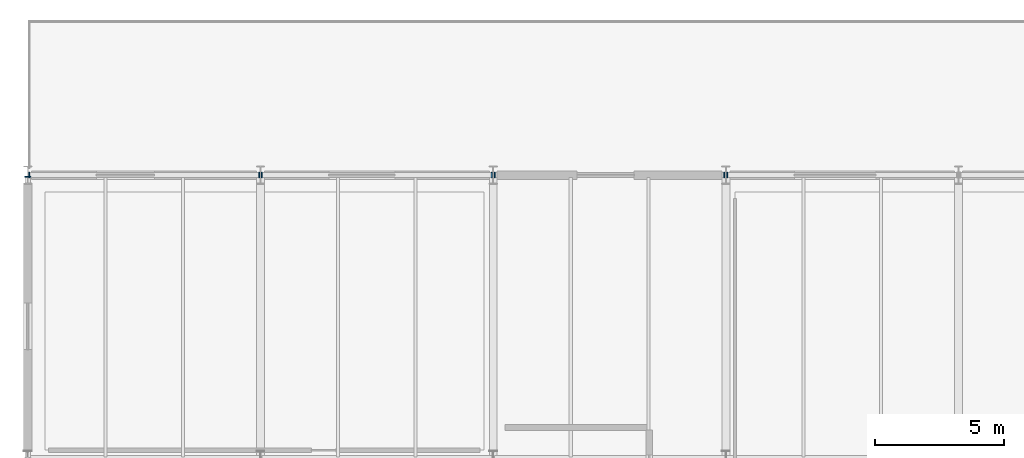
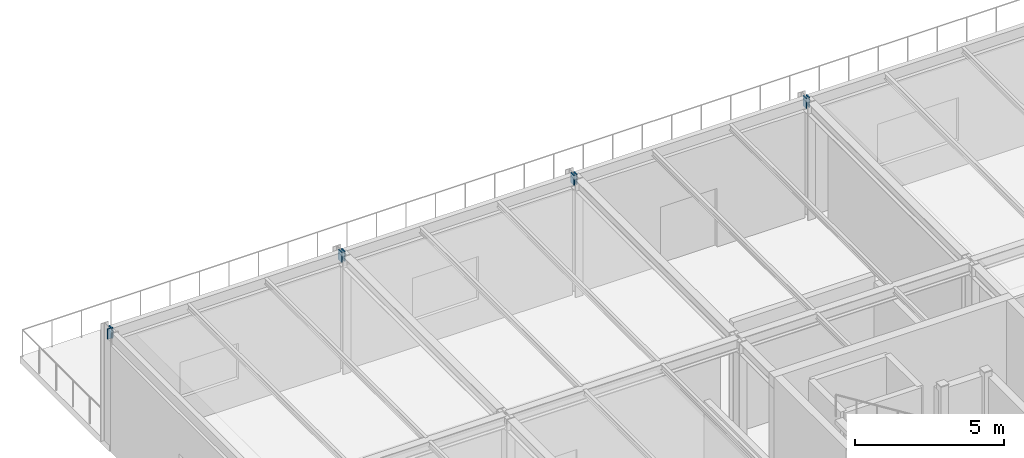
# One storey, part 114 of 143: 8 discrete accessories.
"""IFC4 building model written with IfcOpenShell, lengths in metres."""

from ifc_helpers import new_model, si_unit, direction, frame, origin, origin_2d, place, context, subcontext, project, spatial, rectangle, extrude, material, element, save


model = new_model("IFC4")

# Units and contexts
model_context = context("Model", 3, precision=1e-05, world=origin(), true_north=direction((0.0, 1.0)))
body_context = subcontext(model_context, "Body", "Model", "MODEL_VIEW")
ifc_project = project(units=[si_unit("LENGTHUNIT", "METRE"), si_unit("AREAUNIT", "SQUARE_METRE"), si_unit("VOLUMEUNIT", "CUBIC_METRE"), si_unit("PLANEANGLEUNIT", "RADIAN"), si_unit("MASSUNIT", "GRAM", prefix="KILO")], contexts=[model_context])

# Site, building, storey
site_placement = place(None, origin())
site = spatial("IfcSite", under=ifc_project, at=site_placement, CompositionType="ELEMENT")
building_placement = place(site_placement, origin())
building = spatial("IfcBuilding", under=site, at=building_placement, Name="Marlcrest Central Station", CompositionType="ELEMENT")
storey_placement = place(building_placement, frame((0.0, 0.0, 4.800048828125)))
storey = spatial("IfcBuildingStorey", under=building, at=storey_placement, Name="L01", CompositionType="ELEMENT", Elevation=4.800048828125)

# Discrete accessories
ifc_material = material(Name="Steel S355", Category="steel")
for number, where, z_axis, x_axis, name in (
    (1, (0.03515625, 132.0, 4.619873046875), (1.0, 0.0, 0.0), (0.0, 1.0, 0.0), "endcap-bm-SP-01-L01-00255-s"),
    (2, (8.925048828125, 132.0, 4.619873046875), (1.0, 0.0, 0.0), (0.0, 1.0, 0.0), "endcap-bm-SP-01-L01-00255-e"),
    (3, (9.03515625, 132.0, 4.619873046875), (1.0, 0.0, 0.0), (0.0, 1.0, 0.0), "endcap-bm-SP-01-L01-00256-s"),
    (4, (17.925048828125, 132.0, 4.619873046875), (1.0, 0.0, 0.0), (0.0, 1.0, 0.0), "endcap-bm-SP-01-L01-00256-e"),
    (5, (18.03515625, 132.0, 4.619873046875), (1.0, 0.0, 0.0), (0.0, 1.0, 0.0), "endcap-bm-SP-01-L01-00257-s"),
    (6, (26.925048828125, 132.0, 4.619873046875), (1.0, 0.0, 0.0), (0.0, 1.0, 0.0), "endcap-bm-SP-01-L01-00257-e"),
    (7, (27.03515625, 132.0, 4.619873046875), (1.0, 0.0, 0.0), (0.0, 1.0, 0.0), "endcap-bm-SP-01-L01-00258-s"),
    (8, (0.0, 131.925048828125, 4.619873046875), (0.0, 1.0, 0.0), (-1.0, 0.0, 0.0), "endcap-bm-SP-01-L01-00266-e"),
):
    element("IfcDiscreteAccessory", number, at=place(storey_placement, frame(where, z_axis=z_axis, x_axis=x_axis)), inside=storey, material=ifc_material, Name=name, ObjectType="END_CAP_PLATE", PredefinedType="BRACKET", context=body_context, shape_type="SweptSolid", body=[
        extrude(rectangle(XDim=0.216064453125, YDim=0.416015625, at=origin_2d()), origin(), (0.0, 0.0, 1.0), 0.0400390625),
    ])

save(model, "model.ifc")
